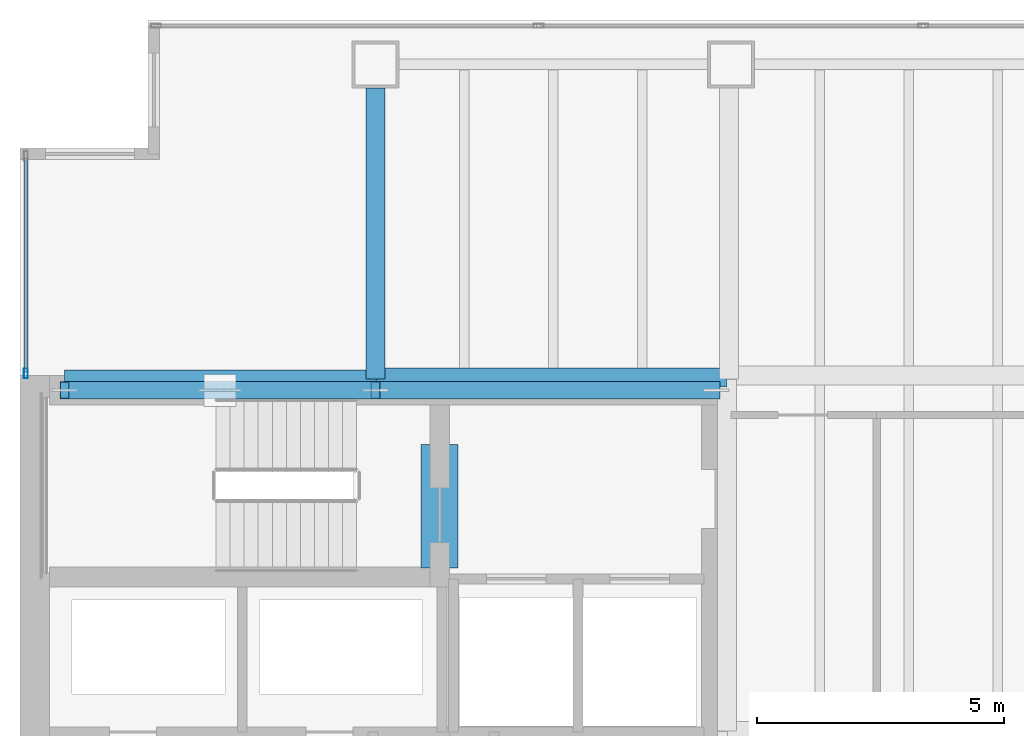
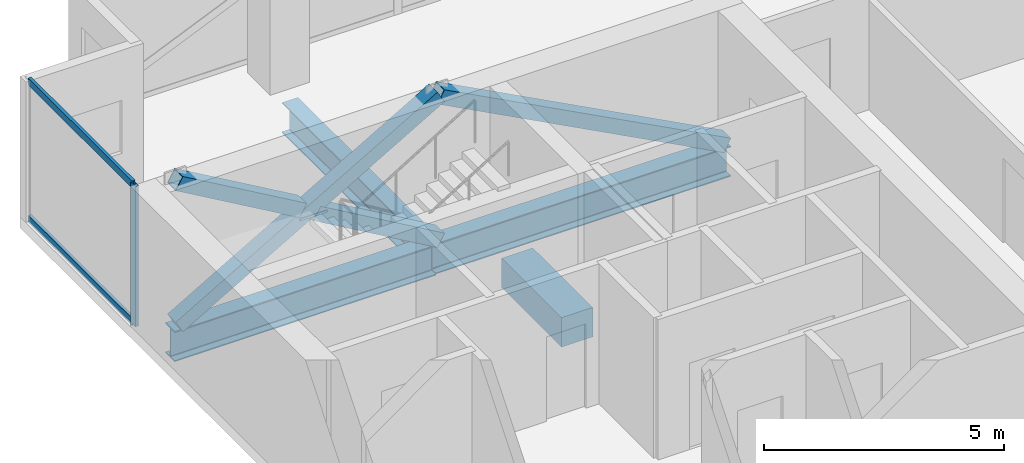
# One storey, part 14 of 23: 7 members, 4 beams, 1 element without a shape of its own.
"""IFC4 building model written with IfcOpenShell, lengths in metres."""

from ifc_helpers import new_model, si_unit, direction, frame, origin, origin_2d, place, context, subcontext, project, spatial, rectangle, hollow_rectangle, i_section, extrude, material, material_profile, profile_set, type_object, element, aggregate, save


model = new_model("IFC4")

# Units and contexts
model_context = context("Model", 3, precision=1e-05, world=origin(), true_north=direction((0.0, 1.0)))
body_context = subcontext(model_context, "Body", "Model", "MODEL_VIEW")
ifc_project = project(units=[si_unit("LENGTHUNIT", "METRE"), si_unit("AREAUNIT", "SQUARE_METRE"), si_unit("VOLUMEUNIT", "CUBIC_METRE"), si_unit("PLANEANGLEUNIT", "RADIAN"), si_unit("MASSUNIT", "GRAM", prefix="KILO")], contexts=[model_context])

# Site, building, storey
site_placement = place(None, origin())
site = spatial("IfcSite", under=ifc_project, at=site_placement, CompositionType="ELEMENT")
building_placement = place(site_placement, origin())
building = spatial("IfcBuilding", under=site, at=building_placement, Name="Cobrela Telecom Tower", CompositionType="ELEMENT")
storey_placement = place(building_placement, frame((0.0, 0.0, 88.89990234375)))
storey = spatial("IfcBuildingStorey", under=building, at=storey_placement, Name="L22", CompositionType="ELEMENT", Elevation=88.89990234375)

# Beams
ifc_material_1 = material(Name="Concrete C40/50", Category="concrete")
ifc_material_profile_1 = material_profile(ifc_material_1, rectangle(XDim=0.75, YDim=0.75, at=origin_2d()), Name="RC 750x750")
ifc_profile_set_1 = profile_set([ifc_material_profile_1], Name="Concrete C40/50")
beam_type_1 = type_object("IfcBeamType", Name="BM-COUP-RC", PredefinedType="LINTEL", material=ifc_profile_set_1)
beam_1_placement = place(storey_placement, frame((8.5, 32.10009765625, -0.6298828125), z_axis=(0.0, 1.0, 0.0), x_axis=(-1.0, 0.0, 0.0)))
element("IfcBeam", 1, at=beam_1_placement, inside=storey, type_object=beam_type_1, Name="L22 Core Coupling Lintel Beam", PredefinedType="LINTEL", context=body_context, shape_type="SweptSolid", body=[
    extrude(rectangle(XDim=0.75, YDim=0.75, at=origin_2d()), origin(), (0.0, 0.0, 1.0), 2.5),
])
ifc_material_2 = material(Name="Steel ASTM A992 Grade 50", Category="steel")
ifc_material_profile_2 = material_profile(ifc_material_2, i_section(OverallWidth=0.381103515625, OverallDepth=0.77197265625, WebThickness=0.0166015625, FlangeThickness=0.027099609375, FilletRadius=0.01904296875, at=origin_2d()), Name="W30X173")
ifc_profile_set_2 = profile_set([ifc_material_profile_2], Name="Steel ASTM A992 Grade 50")
beam_type_2 = type_object("IfcBeamType", Name="BM-GIRD-04", PredefinedType="USERDEFINED", material=ifc_profile_set_2)
beam_2_placement = place(storey_placement, frame((0.905029296875, 35.919921875, -0.666015625), z_axis=(1.0, 0.0, 0.0), x_axis=(0.0, 1.0, 0.0)))
element("IfcBeam", 2, at=beam_2_placement, inside=storey, type_object=beam_type_2, Name="L22 Primary Girder X25", ObjectType="GIRDER", PredefinedType="USERDEFINED", context=body_context, shape_type="SweptSolid", body=[
    extrude(i_section(OverallWidth=0.381103515625, OverallDepth=0.77197265625, WebThickness=0.0166015625, FlangeThickness=0.027099609375, FilletRadius=0.01904296875, at=origin_2d()), origin(), (0.0, 0.0, 1.0), 6.2900390625),
])
beam_3_placement = place(storey_placement, frame((7.205078125, 35.9599609375, -0.666015625), z_axis=(1.0, 0.0, 0.0), x_axis=(0.0, 1.0, 0.0)))
element("IfcBeam", 3, at=beam_3_placement, inside=storey, type_object=beam_type_2, Name="L22 Primary Girder X26", ObjectType="GIRDER", PredefinedType="USERDEFINED", context=body_context, shape_type="SweptSolid", body=[
    extrude(i_section(OverallWidth=0.381103515625, OverallDepth=0.77197265625, WebThickness=0.0166015625, FlangeThickness=0.027099609375, FilletRadius=0.01904296875, at=origin_2d()), origin(), (0.0, 0.0, 1.0), 7.10986328125),
])
beam_4_placement = place(storey_placement, frame((7.199951171875, 35.925048828125, -0.666015625), z_axis=(0.0, 1.0, 0.0), x_axis=(-1.0, 0.0, 0.0)))
element("IfcBeam", 4, at=beam_4_placement, inside=storey, type_object=beam_type_2, Name="L22 Primary Girder Y33", ObjectType="GIRDER", PredefinedType="USERDEFINED", context=body_context, shape_type="SweptSolid", body=[
    extrude(i_section(OverallWidth=0.381103515625, OverallDepth=0.77197265625, WebThickness=0.0166015625, FlangeThickness=0.027099609375, FilletRadius=0.01904296875, at=origin_2d()), origin(), (0.0, 0.0, 1.0), 5.89501953125),
])

# Curtain wall, members
ifc_material_3 = material(Name="Anodized Bronze Aluminium 6063-T6", Category="aluminium")
curtain_wall_type = type_object("IfcCurtainWallType", Name="CW-SYS-DATA", PredefinedType="USERDEFINED", material=ifc_material_3)
curtain_wall_placement = place(storey_placement, origin())
curtain_wall = element("IfcCurtainWall", 5, at=curtain_wall_placement, inside=storey, type_object=curtain_wall_type, Name="L22 Unitised Bronze Curtain Wall 04", ObjectType="UNITISED CURTAIN WALL", PredefinedType="USERDEFINED")
ifc_material_profile_3 = material_profile(ifc_material_3, hollow_rectangle(XDim=0.080078125, YDim=0.199951171875, WallThickness=0.00390625, at=origin_2d()), Name="ALU 80x200x4")
ifc_profile_set_3 = profile_set([ifc_material_profile_3], Name="Anodized Bronze Aluminium 6063-T6")
member_type_1 = type_object("IfcMemberType", Name="CW-SYS-DATA-MUL", PredefinedType="MULLION", material=ifc_profile_set_3)
member_1_placement = place(storey_placement, frame((0.1201171875, 36.0400390625, 0.0), z_axis=(0.0, 0.0, 1.0), x_axis=(-1.0, 0.0, 0.0)))
member_1 = element("IfcMember", 6, at=member_1_placement, type_object=member_type_1, Name="CW-DATA mullion 1", PredefinedType="MULLION", context=body_context, shape_type="SweptSolid", body=[
    extrude(hollow_rectangle(XDim=0.080078125, YDim=0.199951171875, WallThickness=0.00390625, at=origin_2d()), origin(), (0.0, 0.0, 1.0), 3.570068359375),
])
ifc_material_profile_4 = material_profile(ifc_material_3, hollow_rectangle(XDim=0.074951171875, YDim=0.179931640625, WallThickness=0.00390625, at=origin_2d()), Name="ALU 75x180x4")
ifc_profile_set_4 = profile_set([ifc_material_profile_4], Name="Anodized Bronze Aluminium 6063-T6")
member_type_2 = type_object("IfcMemberType", Name="CW-SYS-DATA-TRN", PredefinedType="USERDEFINED", material=ifc_profile_set_4)
member_2_placement = place(storey_placement, frame((0.1201171875, 36.080078125, 0.03759765625), z_axis=(0.0, 1.0, 0.0), x_axis=(-1.0, 0.0, 0.0)))
member_2 = element("IfcMember", 7, at=member_2_placement, type_object=member_type_2, Name="CW-DATA transom 1.1", ObjectType="TRANSOM", PredefinedType="USERDEFINED", context=body_context, shape_type="SweptSolid", body=[
    extrude(hollow_rectangle(XDim=0.074951171875, YDim=0.179931640625, WallThickness=0.00390625, at=origin_2d()), origin(), (0.0, 0.0, 1.0), 4.329833984375),
])
member_3_placement = place(storey_placement, frame((0.1201171875, 36.080078125, 3.53271484375), z_axis=(0.0, 1.0, 0.0), x_axis=(-1.0, 0.0, 0.0)))
member_3 = element("IfcMember", 8, at=member_3_placement, type_object=member_type_2, Name="CW-DATA transom 1.2", ObjectType="TRANSOM", PredefinedType="USERDEFINED", context=body_context, shape_type="SweptSolid", body=[
    extrude(hollow_rectangle(XDim=0.074951171875, YDim=0.179931640625, WallThickness=0.00390625, at=origin_2d()), origin(), (0.0, 0.0, 1.0), 4.329833984375),
])
aggregate(curtain_wall, [member_1, member_2, member_3])

# Members
ifc_material_4 = material(Name="Steel ASTM A572 Grade 50", Category="steel")
ifc_material_profile_5 = material_profile(ifc_material_4, hollow_rectangle(XDim=0.35009765625, YDim=0.35009765625, WallThickness=0.01611328125, at=origin_2d()), Name="HSS 350x350x16")
ifc_profile_set_5 = profile_set([ifc_material_profile_5], Name="Steel ASTM A572 Grade 50")
member_type_3 = type_object("IfcMemberType", Name="MBR-EXO-02", PredefinedType="BRACE", material=ifc_profile_set_5)
member_4_placement = place(storey_placement, frame((0.89990234375, 35.699951171875, -0.039794921875), z_axis=(0.865277025542, 0.0, 0.501293994647), x_axis=(0.0, 1.0, 0.0)))
element("IfcMember", 9, at=member_4_placement, inside=storey, type_object=member_type_3, Name="L22 Core Flange Steel X-Brace Continuous A", PredefinedType="BRACE", context=body_context, shape_type="SweptSolid", body=[
    extrude(hollow_rectangle(XDim=0.35009765625, YDim=0.35009765625, WallThickness=0.01611328125, at=origin_2d()), origin(), (0.0, 0.0, 1.0), 7.281005859375),
])
member_5_placement = place(storey_placement, frame((7.199951171875, 35.699951171875, -0.039794921875), z_axis=(-0.865296850073, 0.0, 0.501259774223), x_axis=(0.0, -1.0, 0.0)))
element("IfcMember", 10, at=member_5_placement, inside=storey, type_object=member_type_3, Name="L22 Core Flange Steel X-Brace Split B1", PredefinedType="BRACE", context=body_context, shape_type="SweptSolid", body=[
    extrude(hollow_rectangle(XDim=0.35009765625, YDim=0.35009765625, WallThickness=0.01611328125, at=origin_2d()), origin(), (0.0, 0.0, 1.0), 3.4443359375),
])
member_6_placement = place(storey_placement, frame((3.88037109375, 35.699951171875, 1.88330078125), z_axis=(-0.865266106373, 0.0, 0.50131284161), x_axis=(0.0, -1.0, 0.0)))
element("IfcMember", 11, at=member_6_placement, inside=storey, type_object=member_type_3, Name="L22 Core Flange Steel X-Brace Split B2", PredefinedType="BRACE", context=body_context, shape_type="SweptSolid", body=[
    extrude(hollow_rectangle(XDim=0.35009765625, YDim=0.35009765625, WallThickness=0.01611328125, at=origin_2d()), origin(), (0.0, 0.0, 1.0), 3.444580078125),
])
member_7_placement = place(storey_placement, frame((14.10009765625, 35.699951171875, -0.039794921875), z_axis=(-0.883952947778, 0.0, 0.467575861348), x_axis=(0.0, -1.0, 0.0)))
element("IfcMember", 12, at=member_7_placement, inside=storey, type_object=member_type_3, Name="L22 Core Flange Steel Brace N2", PredefinedType="BRACE", context=body_context, shape_type="SweptSolid", body=[
    extrude(hollow_rectangle(XDim=0.35009765625, YDim=0.35009765625, WallThickness=0.01611328125, at=origin_2d()), origin(), (0.0, 0.0, 1.0), 7.805908203125),
])

save(model, "model.ifc")
